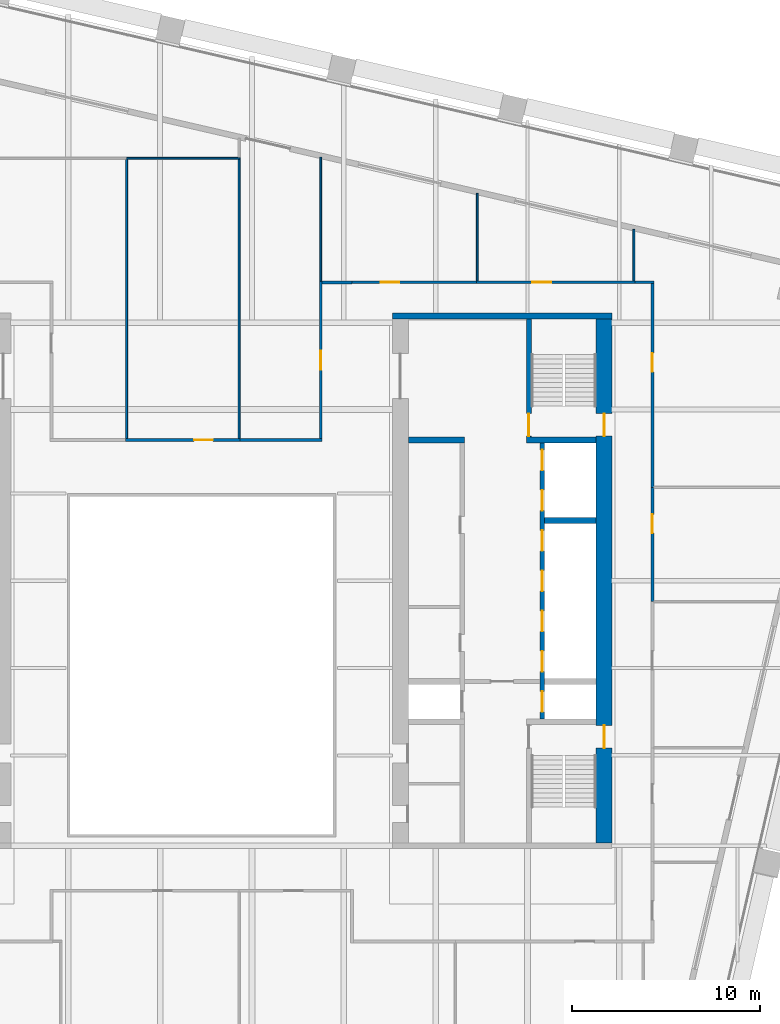
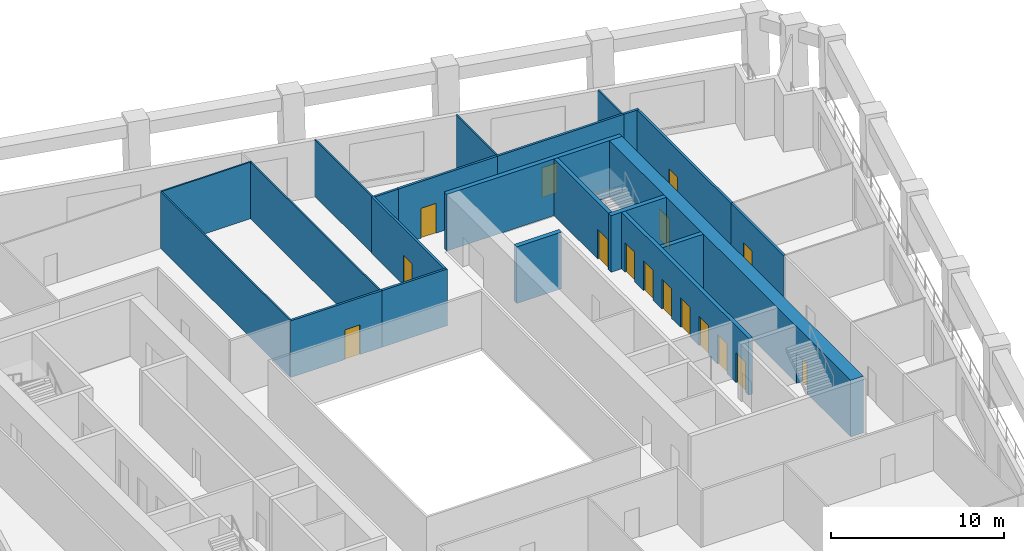
# One storey, part 7 of 9: 22 walls, 16 doors, 16 openings.
"""IFC4 building model written with IfcOpenShell, lengths in metres."""

from ifc_helpers import new_model, si_unit, direction, frame, frame_2d, origin, place, context, subcontext, project, spatial, rectangle, extrude, material, layer, layer_set, type_object, element, fill, save


model = new_model("IFC4")

# Units and contexts
model_context = context("Model", 3, precision=1e-05, world=origin(), true_north=direction((0.0, 1.0)))
body_context = subcontext(model_context, "Body", "Model", "MODEL_VIEW")
ifc_project = project(units=[si_unit("LENGTHUNIT", "METRE"), si_unit("AREAUNIT", "SQUARE_METRE"), si_unit("VOLUMEUNIT", "CUBIC_METRE"), si_unit("PLANEANGLEUNIT", "RADIAN"), si_unit("MASSUNIT", "GRAM", prefix="KILO")], contexts=[model_context])

# Site, building, storey
site_placement = place(None, origin())
site = spatial("IfcSite", under=ifc_project, at=site_placement, CompositionType="ELEMENT")
building_placement = place(site_placement, origin())
building = spatial("IfcBuilding", under=site, at=building_placement, Name="Ogive Exchange Tower", CompositionType="ELEMENT")
storey_placement = place(building_placement, frame((0.0, 0.0, 122.39990234375)))
storey = spatial("IfcBuildingStorey", under=building, at=storey_placement, Name="L26", CompositionType="ELEMENT", Elevation=122.39990234375)

# Wall
ifc_material_1 = material(Name="Gypsum board partition")
ifc_layer_1 = layer(ifc_material_1, 0.300048828125)
ifc_layer_set_1 = layer_set([ifc_layer_1], Name="Core room partition 300 gypsum")
wall_type_1 = type_object("IfcWallType", Name="Core room partition 300 gypsum", PredefinedType="PARTITIONING", material=ifc_layer_set_1)
wall_1_placement = place(storey_placement, frame((11.0, 19.0, 0.0), z_axis=(0.0, 0.0, 1.0), x_axis=(1.0, 0.0, 0.0)))
element("IfcWall", 1, at=wall_1_placement, inside=storey, type_object=wall_type_1, Name="E row B room end wall 7", PredefinedType="PARTITIONING", context=body_context, shape_type="SweptSolid", body=[
    extrude(rectangle(XDim=3.0, YDim=0.300048828125, at=frame_2d((1.5, 0.0))), origin(), (0.0, 0.0, 1.0), 4.0),
])

# Wall, opening, door
ifc_material_2 = material(Name="Fire partition EI 60 150")
ifc_layer_2 = layer(ifc_material_2, 0.14990234375)
ifc_layer_set_2 = layer_set([ifc_layer_2], Name="Fire partition EI 60 150")
wall_type_2 = type_object("IfcWallType", Name="Fire partition EI 60 150", PredefinedType="PARTITIONING", material=ifc_layer_set_2)
wall_2_placement = place(storey_placement, frame((-4.050048828125, 19.0, 0.0), z_axis=(0.0, 0.0, 1.0), x_axis=(1.0, 0.0, 0.0)))
wall_2 = element("IfcWall", 2, at=wall_2_placement, inside=storey, type_object=wall_type_2, Name="L26-PWL-028", PredefinedType="PARTITIONING", context=body_context, shape_type="SweptSolid", body=[
    extrude(rectangle(XDim=6.090087890625, YDim=0.14990234375, at=frame_2d((3.044921875, 0.0))), origin(), (0.0, 0.0, 1.0), 4.0),
])
opening_1_placement = place(wall_2_placement, frame((3.639892578125, 0.0, 0.0)))
opening_1 = element("IfcOpeningElement", 3, at=opening_1_placement, cuts=wall_2, Name="Opening L26-I11", PredefinedType="OPENING", context=body_context, shape_type="SweptSolid", body=[
    extrude(rectangle(XDim=1.0, YDim=2.10009765625, at=frame_2d((0.5, 1.050048828125))), frame((0.0, 0.0849609375, 0.0), z_axis=(0.0, -1.0, 0.0), x_axis=(1.0, 0.0, 0.0)), (0.0, 0.0, 1.0), 0.169921875),
])
ifc_material_3 = material(Name="Fire door FD 30S 1000 x 2100")
door_type_1 = type_object("IfcDoorType", Name="Fire door FD 30S 1000 x 2100", OperationType="NOTDEFINED", PredefinedType="DOOR", material=ifc_material_3)
door_1_placement = place(opening_1_placement, origin())
door_1 = element("IfcDoor", 4, at=door_1_placement, inside=storey, type_object=door_type_1, Name="L26-IDR-011", ObjectType="DT3", OperationType="SINGLE_SWING_LEFT", OverallHeight=2.10009765625, OverallWidth=1.0, PredefinedType="DOOR", context=body_context, shape_type="SweptSolid", body=[
    extrude(rectangle(XDim=1.0, YDim=2.10009765625, at=frame_2d((0.5, 1.050048828125))), frame((0.0, 0.02490234375, 0.0), z_axis=(0.0, -1.0, 0.0), x_axis=(1.0, 0.0, 0.0)), (0.0, 0.0, 1.0), 0.050048828125),
])
fill(opening_1, door_1)

# Wall
wall_3_placement = place(storey_placement, frame((2.0400390625, 19.0, 0.0), z_axis=(0.0, 0.0, 1.0), x_axis=(1.0, 0.0, 0.0)))
element("IfcWall", 5, at=wall_3_placement, inside=storey, type_object=wall_type_2, Name="L26-PWL-034", PredefinedType="PARTITIONING", context=body_context, shape_type="SweptSolid", body=[
    extrude(rectangle(XDim=4.375, YDim=0.14990234375, at=frame_2d((2.1875, 0.0))), origin(), (0.0, 0.0, 1.0), 4.0),
])

# Wall, opening, door
wall_4_placement = place(storey_placement, frame((6.340087890625, 19.074951171875, 0.0), z_axis=(0.0, 0.0, 1.0), x_axis=(0.0, 1.0, 0.0)))
wall_4 = element("IfcWall", 6, at=wall_4_placement, inside=storey, type_object=wall_type_2, Name="L26-PWL-038", PredefinedType="PARTITIONING", context=body_context, shape_type="SweptSolid", body=[
    extrude(rectangle(XDim=8.39013671875, YDim=0.14990234375, at=frame_2d((4.195068359375, 0.0))), origin(), (0.0, 0.0, 1.0), 4.0),
])
opening_2_placement = place(wall_4_placement, frame((3.6650390625, 0.0, 0.0)))
opening_2 = element("IfcOpeningElement", 7, at=opening_2_placement, cuts=wall_4, Name="Opening L26-I12", PredefinedType="OPENING", context=body_context, shape_type="SweptSolid", body=[
    extrude(rectangle(XDim=1.0, YDim=2.10009765625, at=frame_2d((0.5, 1.050048828125))), frame((0.0, 0.0849609375, 0.0), z_axis=(0.0, -1.0, 0.0), x_axis=(1.0, 0.0, 0.0)), (0.0, 0.0, 1.0), 0.169921875),
])
door_2_placement = place(opening_2_placement, origin())
door_2 = element("IfcDoor", 8, at=door_2_placement, inside=storey, type_object=door_type_1, Name="L26-IDR-012", ObjectType="DT3", OperationType="SINGLE_SWING_RIGHT", OverallHeight=2.10009765625, OverallWidth=1.0, PredefinedType="DOOR", context=body_context, shape_type="SweptSolid", body=[
    extrude(rectangle(XDim=1.0, YDim=2.10009765625, at=frame_2d((0.5, 1.050048828125))), frame((0.0, 0.02490234375, 0.0), z_axis=(0.0, -1.0, 0.0), x_axis=(1.0, 0.0, 0.0)), (0.0, 0.0, 1.0), 0.050048828125),
])
fill(opening_2, door_2)

# Wall
wall_5_placement = place(storey_placement, frame((6.4150390625, 27.389892578125, 0.0), z_axis=(0.0, 0.0, 1.0), x_axis=(1.0, 0.0, 0.0)))
element("IfcWall", 9, at=wall_5_placement, inside=storey, type_object=wall_type_2, Name="L26-PWL-039", PredefinedType="PARTITIONING", context=body_context, shape_type="SweptSolid", body=[
    extrude(rectangle(XDim=1.5849609375, YDim=0.14990234375, at=frame_2d((0.79248046875, 0.0))), origin(), (0.0, 0.0, 1.0), 4.0),
])

# Wall, opening, door
wall_6_placement = place(storey_placement, frame((8.0, 27.39990234375, 0.0), z_axis=(0.0, 0.0, 1.0), x_axis=(1.0, 0.0, 0.0)))
wall_6 = element("IfcWall", 10, at=wall_6_placement, inside=storey, type_object=wall_type_2, Name="L26-PWL-043", PredefinedType="PARTITIONING", context=body_context, shape_type="SweptSolid", body=[
    extrude(rectangle(XDim=6.6201171875, YDim=0.14990234375, at=frame_2d((3.31005859375, 0.0))), origin(), (0.0, 0.0, 1.0), 4.0),
])
opening_3_placement = place(wall_6_placement, frame((1.52001953125, 0.0, 0.0)))
opening_3 = element("IfcOpeningElement", 11, at=opening_3_placement, cuts=wall_6, Name="Opening L26-I15", PredefinedType="OPENING", context=body_context, shape_type="SweptSolid", body=[
    extrude(rectangle(XDim=1.0, YDim=2.10009765625, at=frame_2d((0.5, 1.050048828125))), frame((0.0, 0.0849609375, 0.0), z_axis=(0.0, -1.0, 0.0), x_axis=(1.0, 0.0, 0.0)), (0.0, 0.0, 1.0), 0.169921875),
])
door_3_placement = place(opening_3_placement, origin())
door_3 = element("IfcDoor", 12, at=door_3_placement, inside=storey, type_object=door_type_1, Name="L26-IDR-015", ObjectType="DT3", OperationType="SINGLE_SWING_RIGHT", OverallHeight=2.10009765625, OverallWidth=1.0, PredefinedType="DOOR", context=body_context, shape_type="SweptSolid", body=[
    extrude(rectangle(XDim=1.0, YDim=2.10009765625, at=frame_2d((0.5, 1.050048828125))), frame((0.0, 0.02490234375, 0.0), z_axis=(0.0, -1.0, 0.0), x_axis=(1.0, 0.0, 0.0)), (0.0, 0.0, 1.0), 0.050048828125),
])
fill(opening_3, door_3)

wall_7_placement = place(storey_placement, frame((14.6201171875, 27.39990234375, 0.0), z_axis=(0.0, 0.0, 1.0), x_axis=(1.0, 0.0, 0.0)))
wall_7 = element("IfcWall", 13, at=wall_7_placement, inside=storey, type_object=wall_type_2, Name="L26-PWL-049", PredefinedType="PARTITIONING", context=body_context, shape_type="SweptSolid", body=[
    extrude(rectangle(XDim=8.43994140625, YDim=0.14990234375, at=frame_2d((4.219970703125, 0.0))), origin(), (0.0, 0.0, 1.0), 4.0),
])
opening_4_placement = place(wall_7_placement, frame((2.989990234375, 0.0, 0.0)))
opening_4 = element("IfcOpeningElement", 14, at=opening_4_placement, cuts=wall_7, Name="Opening L26-I16", PredefinedType="OPENING", context=body_context, shape_type="SweptSolid", body=[
    extrude(rectangle(XDim=1.0, YDim=2.10009765625, at=frame_2d((0.5, 1.050048828125))), frame((0.0, 0.0849609375, 0.0), z_axis=(0.0, -1.0, 0.0), x_axis=(1.0, 0.0, 0.0)), (0.0, 0.0, 1.0), 0.169921875),
])
door_4_placement = place(opening_4_placement, origin())
door_4 = element("IfcDoor", 15, at=door_4_placement, inside=storey, type_object=door_type_1, Name="L26-IDR-016", ObjectType="DT3", OperationType="SINGLE_SWING_RIGHT", OverallHeight=2.10009765625, OverallWidth=1.0, PredefinedType="DOOR", context=body_context, shape_type="SweptSolid", body=[
    extrude(rectangle(XDim=1.0, YDim=2.10009765625, at=frame_2d((0.5, 1.050048828125))), frame((0.0, 0.02490234375, 0.0), z_axis=(0.0, -1.0, 0.0), x_axis=(1.0, 0.0, 0.0)), (0.0, 0.0, 1.0), 0.050048828125),
])
fill(opening_4, door_4)

# Wall
wall_8_placement = place(storey_placement, frame((23.06005859375, 27.39990234375, 0.0), z_axis=(0.0, 0.0, 1.0), x_axis=(1.0, 0.0, 0.0)))
element("IfcWall", 16, at=wall_8_placement, inside=storey, type_object=wall_type_2, Name="L26-PWL-051", PredefinedType="PARTITIONING", context=body_context, shape_type="SweptSolid", body=[
    extrude(rectangle(XDim=1.014892578125, YDim=0.14990234375, at=frame_2d((0.50732421875, 0.0))), origin(), (0.0, 0.0, 1.0), 4.0),
])

# Wall, opening, door
wall_9_placement = place(storey_placement, frame((24.0, 16.47998046875, 0.0), z_axis=(0.0, 0.0, 1.0), x_axis=(0.0, -1.0, 0.0)))
wall_9 = element("IfcWall", 17, at=wall_9_placement, inside=storey, type_object=wall_type_2, Name="L26-PWL-063", PredefinedType="PARTITIONING", context=body_context, shape_type="SweptSolid", body=[
    extrude(rectangle(XDim=6.090087890625, YDim=0.14990234375, at=frame_2d((3.044921875, 0.0))), origin(), (0.0, 0.0, 1.0), 4.0),
])
opening_5_placement = place(wall_9_placement, frame((1.43994140625, 0.0, 0.0)))
opening_5 = element("IfcOpeningElement", 18, at=opening_5_placement, cuts=wall_9, Name="Opening L26-I14", PredefinedType="OPENING", context=body_context, shape_type="SweptSolid", body=[
    extrude(rectangle(XDim=1.0, YDim=2.10009765625, at=frame_2d((0.5, 1.050048828125))), frame((0.0, 0.0849609375, 0.0), z_axis=(0.0, -1.0, 0.0), x_axis=(1.0, 0.0, 0.0)), (0.0, 0.0, 1.0), 0.169921875),
])
door_5_placement = place(opening_5_placement, origin())
door_5 = element("IfcDoor", 19, at=door_5_placement, inside=storey, type_object=door_type_1, Name="L26-IDR-014", ObjectType="DT3", OperationType="SINGLE_SWING_RIGHT", OverallHeight=2.10009765625, OverallWidth=1.0, PredefinedType="DOOR", context=body_context, shape_type="SweptSolid", body=[
    extrude(rectangle(XDim=1.0, YDim=2.10009765625, at=frame_2d((0.5, 1.050048828125))), frame((0.0, 0.02490234375, 0.0), z_axis=(0.0, -1.0, 0.0), x_axis=(1.0, 0.0, 0.0)), (0.0, 0.0, 1.0), 0.050048828125),
])
fill(opening_5, door_5)

wall_10_placement = place(storey_placement, frame((24.0, 27.324951171875, 0.0), z_axis=(0.0, 0.0, 1.0), x_axis=(0.0, -1.0, 0.0)))
wall_10 = element("IfcWall", 20, at=wall_10_placement, inside=storey, type_object=wall_type_2, Name="L26-PWL-065", PredefinedType="PARTITIONING", context=body_context, shape_type="SweptSolid", body=[
    extrude(rectangle(XDim=10.844970703125, YDim=0.14990234375, at=frame_2d((5.42236328125, 0.0))), origin(), (0.0, 0.0, 1.0), 4.0),
])
opening_6_placement = place(wall_10_placement, frame((3.695068359375, 0.0, 0.0)))
opening_6 = element("IfcOpeningElement", 21, at=opening_6_placement, cuts=wall_10, Name="Opening L26-I17", PredefinedType="OPENING", context=body_context, shape_type="SweptSolid", body=[
    extrude(rectangle(XDim=1.0, YDim=2.10009765625, at=frame_2d((0.5, 1.050048828125))), frame((0.0, 0.0849609375, 0.0), z_axis=(0.0, -1.0, 0.0), x_axis=(1.0, 0.0, 0.0)), (0.0, 0.0, 1.0), 0.169921875),
])
door_6_placement = place(opening_6_placement, origin())
door_6 = element("IfcDoor", 22, at=door_6_placement, inside=storey, type_object=door_type_1, Name="L26-IDR-017", ObjectType="DT3", OperationType="SINGLE_SWING_RIGHT", OverallHeight=2.10009765625, OverallWidth=1.0, PredefinedType="DOOR", context=body_context, shape_type="SweptSolid", body=[
    extrude(rectangle(XDim=1.0, YDim=2.10009765625, at=frame_2d((0.5, 1.050048828125))), frame((0.0, 0.02490234375, 0.0), z_axis=(0.0, -1.0, 0.0), x_axis=(1.0, 0.0, 0.0)), (0.0, 0.0, 1.0), 0.050048828125),
])
fill(opening_6, door_6)

# Walls
ifc_material_4 = material(Name="Partition 100 gypsum")
ifc_layer_3 = layer(ifc_material_4, 0.10009765625)
ifc_layer_set_3 = layer_set([ifc_layer_3], Name="Partition 100 gypsum")
wall_type_3 = type_object("IfcWallType", Name="Partition 100 gypsum", PredefinedType="PARTITIONING", material=ifc_layer_set_3)
wall_11_placement = place(storey_placement, frame((-4.0, 33.949951171875, 0.0), z_axis=(0.0, 0.0, 1.0), x_axis=(0.0, -1.0, 0.0)))
element("IfcWall", 23, at=wall_11_placement, inside=storey, type_object=wall_type_3, Name="L26-PWL-030", PredefinedType="PARTITIONING", context=body_context, shape_type="SweptSolid", body=[
    extrude(rectangle(XDim=14.875, YDim=0.10009765625, at=frame_2d((7.4375, 0.0))), origin(), (0.0, 0.0, 1.0), 4.0),
])
wall_12_placement = place(storey_placement, frame((2.0400390625, 34.0, 0.0), z_axis=(0.0, 0.0, 1.0), x_axis=(-1.0, 0.0, 0.0)))
element("IfcWall", 24, at=wall_12_placement, inside=storey, type_object=wall_type_3, Name="L26-PWL-035", PredefinedType="PARTITIONING", context=body_context, shape_type="SweptSolid", body=[
    extrude(rectangle(XDim=6.0400390625, YDim=0.10009765625, at=frame_2d((3.02001953125, 0.0))), origin(), (0.0, 0.0, 1.0), 4.0),
])
wall_13_placement = place(storey_placement, frame((1.989990234375, 33.949951171875, 0.0), z_axis=(0.0, 0.0, 1.0), x_axis=(0.0, -1.0, 0.0)))
element("IfcWall", 25, at=wall_13_placement, inside=storey, type_object=wall_type_3, Name="L26-PWL-036", PredefinedType="PARTITIONING", context=body_context, shape_type="SweptSolid", body=[
    extrude(rectangle(XDim=14.875, YDim=0.10009765625, at=frame_2d((7.4375, 0.0))), origin(), (0.0, 0.0, 1.0), 4.0),
])
wall_14_placement = place(storey_placement, frame((6.340087890625, 34.06103515625, 0.0), z_axis=(0.0, 0.0, 1.0), x_axis=(0.0, -1.0, 0.0)))
element("IfcWall", 26, at=wall_14_placement, inside=storey, type_object=wall_type_3, Name="L26-PWL-040", PredefinedType="PARTITIONING", context=body_context, shape_type="SweptSolid", body=[
    extrude(rectangle(XDim=6.595947265625, YDim=0.10009765625, at=frame_2d((3.2978515625, 0.0))), origin(), (0.0, 0.0, 1.0), 4.0),
])
wall_15_placement = place(storey_placement, frame((14.669921875, 32.137939453125, 0.0), z_axis=(0.0, 0.0, 1.0), x_axis=(0.0, -1.0, 0.0)))
element("IfcWall", 27, at=wall_15_placement, inside=storey, type_object=wall_type_3, Name="L26-PWL-050", PredefinedType="PARTITIONING", context=body_context, shape_type="SweptSolid", body=[
    extrude(rectangle(XDim=4.662841796875, YDim=0.10009765625, at=frame_2d((2.33154296875, 0.0))), origin(), (0.0, 0.0, 1.0), 4.0),
])
wall_16_placement = place(storey_placement, frame((23.010009765625, 30.2119140625, 0.0), z_axis=(0.0, 0.0, 1.0), x_axis=(0.0, -1.0, 0.0)))
element("IfcWall", 28, at=wall_16_placement, inside=storey, type_object=wall_type_3, Name="L26-PWL-052", PredefinedType="PARTITIONING", context=body_context, shape_type="SweptSolid", body=[
    extrude(rectangle(XDim=2.73681640625, YDim=0.10009765625, at=frame_2d((1.368408203125, 0.0))), origin(), (0.0, 0.0, 1.0), 4.0),
])

# Wall, opening, door
ifc_material_5 = material(Name="Concrete C70/85", Category="concrete")
ifc_layer_4 = layer(ifc_material_5, 0.25)
ifc_layer_set_4 = layer_set([ifc_layer_4], Name="RC core wall 250 C70/85")
wall_type_4 = type_object("IfcWallType", Name="RC core wall 250 C70/85", PredefinedType="SHEAR", material=ifc_layer_set_4)
wall_17_placement = place(storey_placement, frame((17.425048828125, 19.14990234375, 0.0), z_axis=(0.0, 0.0, 1.0), x_axis=(0.0, 1.0, 0.0)))
wall_17 = element("IfcWall", 29, at=wall_17_placement, inside=storey, type_object=wall_type_4, Name="E stair N front wall", PredefinedType="SHEAR", context=body_context, shape_type="SweptSolid", body=[
    extrude(rectangle(XDim=6.300048828125, YDim=0.25, at=frame_2d((3.14990234375, 0.0))), origin(), (0.0, 0.0, 1.0), 4.0),
])
opening_7_placement = place(wall_17_placement, frame((0.050048828125, 0.0, 0.0)))
opening_7 = element("IfcOpeningElement", 30, at=opening_7_placement, cuts=wall_17, Name="Opening L26-C32", PredefinedType="OPENING", context=body_context, shape_type="SweptSolid", body=[
    extrude(rectangle(XDim=1.199951171875, YDim=2.10009765625, at=frame_2d((0.60009765625, 1.050048828125))), frame((0.0, 0.135009765625, 0.0), z_axis=(0.0, -1.0, 0.0), x_axis=(1.0, 0.0, 0.0)), (0.0, 0.0, 1.0), 0.27001953125),
])
ifc_material_6 = material(Name="Steel fire door", Category="steel")
door_type_2 = type_object("IfcDoorType", Name="Stair door FD90 1200 x 2100", OperationType="NOTDEFINED", PredefinedType="DOOR", material=ifc_material_6)
door_7_placement = place(opening_7_placement, frame((1.199951171875, 0.0, 0.0), z_axis=(0.0, 0.0, 1.0), x_axis=(-1.0, 0.0, 0.0)))
door_7 = element("IfcDoor", 31, at=door_7_placement, inside=storey, type_object=door_type_2, Name="Stair door", ObjectType="CD5", OperationType="SINGLE_SWING_LEFT", OverallHeight=2.10009765625, OverallWidth=1.199951171875, PredefinedType="DOOR", context=body_context, shape_type="SweptSolid", body=[
    extrude(rectangle(XDim=1.199951171875, YDim=2.10009765625, at=frame_2d((0.60009765625, 1.050048828125))), frame((0.0, 0.02490234375, 0.0), z_axis=(0.0, -1.0, 0.0), x_axis=(1.0, 0.0, 0.0)), (0.0, 0.0, 1.0), 0.050048828125),
])
fill(opening_7, door_7)

# Wall, openings, doors
wall_18_placement = place(storey_placement, frame((18.125, 4.14990234375, 0.0), z_axis=(0.0, 0.0, 1.0), x_axis=(0.0, 1.0, 0.0)))
wall_18 = element("IfcWall", 32, at=wall_18_placement, inside=storey, type_object=wall_type_4, Name="E row A front wall", PredefinedType="SHEAR", context=body_context, shape_type="SweptSolid", body=[
    extrude(rectangle(XDim=14.7001953125, YDim=0.25, at=frame_2d((7.35009765625, 0.0))), origin(), (0.0, 0.0, 1.0), 4.0),
])
opening_8_placement = place(wall_18_placement, frame((0.371337890625, 0.0, 0.0)))
opening_8 = element("IfcOpeningElement", 33, at=opening_8_placement, cuts=wall_18, Name="Opening L26-C18", PredefinedType="OPENING", context=body_context, shape_type="SweptSolid", body=[
    extrude(rectangle(XDim=1.10009765625, YDim=2.10009765625, at=frame_2d((0.550048828125, 1.050048828125))), frame((0.0, 0.135009765625, 0.0), z_axis=(0.0, -1.0, 0.0), x_axis=(1.0, 0.0, 0.0)), (0.0, 0.0, 1.0), 0.27001953125),
])
opening_9_placement = place(wall_18_placement, frame((2.514404296875, 0.0, 0.0)))
opening_9 = element("IfcOpeningElement", 34, at=opening_9_placement, cuts=wall_18, Name="Opening L26-C19", PredefinedType="OPENING", context=body_context, shape_type="SweptSolid", body=[
    extrude(rectangle(XDim=1.10009765625, YDim=2.10009765625, at=frame_2d((0.550048828125, 1.050048828125))), frame((0.0, 0.135009765625, 0.0), z_axis=(0.0, -1.0, 0.0), x_axis=(1.0, 0.0, 0.0)), (0.0, 0.0, 1.0), 0.27001953125),
])
opening_10_placement = place(wall_18_placement, frame((4.656982421875, 0.0, 0.0)))
opening_10 = element("IfcOpeningElement", 35, at=opening_10_placement, cuts=wall_18, Name="Opening L26-C20", PredefinedType="OPENING", context=body_context, shape_type="SweptSolid", body=[
    extrude(rectangle(XDim=1.10009765625, YDim=2.10009765625, at=frame_2d((0.550048828125, 1.050048828125))), frame((0.0, 0.135009765625, 0.0), z_axis=(0.0, -1.0, 0.0), x_axis=(1.0, 0.0, 0.0)), (0.0, 0.0, 1.0), 0.27001953125),
])
opening_11_placement = place(wall_18_placement, frame((6.800048828125, 0.0, 0.0)))
opening_11 = element("IfcOpeningElement", 36, at=opening_11_placement, cuts=wall_18, Name="Opening L26-C21", PredefinedType="OPENING", context=body_context, shape_type="SweptSolid", body=[
    extrude(rectangle(XDim=1.10009765625, YDim=2.10009765625, at=frame_2d((0.550048828125, 1.050048828125))), frame((0.0, 0.135009765625, 0.0), z_axis=(0.0, -1.0, 0.0), x_axis=(1.0, 0.0, 0.0)), (0.0, 0.0, 1.0), 0.27001953125),
])
opening_12_placement = place(wall_18_placement, frame((8.94287109375, 0.0, 0.0)))
opening_12 = element("IfcOpeningElement", 37, at=opening_12_placement, cuts=wall_18, Name="Opening L26-C22", PredefinedType="OPENING", context=body_context, shape_type="SweptSolid", body=[
    extrude(rectangle(XDim=1.10009765625, YDim=2.10009765625, at=frame_2d((0.550048828125, 1.050048828125))), frame((0.0, 0.135009765625, 0.0), z_axis=(0.0, -1.0, 0.0), x_axis=(1.0, 0.0, 0.0)), (0.0, 0.0, 1.0), 0.27001953125),
])
opening_13_placement = place(wall_18_placement, frame((11.085693359375, 0.0, 0.0)))
opening_13 = element("IfcOpeningElement", 38, at=opening_13_placement, cuts=wall_18, Name="Opening L26-C23", PredefinedType="OPENING", context=body_context, shape_type="SweptSolid", body=[
    extrude(rectangle(XDim=1.10009765625, YDim=2.10009765625, at=frame_2d((0.550048828125, 1.050048828125))), frame((0.0, 0.135009765625, 0.0), z_axis=(0.0, -1.0, 0.0), x_axis=(1.0, 0.0, 0.0)), (0.0, 0.0, 1.0), 0.27001953125),
])
opening_14_placement = place(wall_18_placement, frame((13.228515625, 0.0, 0.0)))
opening_14 = element("IfcOpeningElement", 39, at=opening_14_placement, cuts=wall_18, Name="Opening L26-C24", PredefinedType="OPENING", context=body_context, shape_type="SweptSolid", body=[
    extrude(rectangle(XDim=1.10009765625, YDim=2.10009765625, at=frame_2d((0.550048828125, 1.050048828125))), frame((0.0, 0.135009765625, 0.0), z_axis=(0.0, -1.0, 0.0), x_axis=(1.0, 0.0, 0.0)), (0.0, 0.0, 1.0), 0.27001953125),
])
ifc_material_7 = material(Name="Stainless steel", Category="steel")
door_type_3 = type_object("IfcDoorType", Name="Lift landing door FD90 1100 x 2100", OperationType="SLIDING_TO_LEFT", PredefinedType="DOOR", material=ifc_material_7)
door_8_placement = place(opening_8_placement, origin())
door_8 = element("IfcDoor", 40, at=door_8_placement, inside=storey, type_object=door_type_3, Name="Lift landing door FF2", ObjectType="LD", OperationType="SLIDING_TO_LEFT", OverallHeight=2.10009765625, OverallWidth=1.10009765625, PredefinedType="DOOR", context=body_context, shape_type="SweptSolid", body=[
    extrude(rectangle(XDim=1.10009765625, YDim=2.10009765625, at=frame_2d((0.550048828125, 1.050048828125))), frame((0.0, 0.02490234375, 0.0), z_axis=(0.0, -1.0, 0.0), x_axis=(1.0, 0.0, 0.0)), (0.0, 0.0, 1.0), 0.050048828125),
])
fill(opening_8, door_8)
door_9_placement = place(opening_9_placement, origin())
door_9 = element("IfcDoor", 41, at=door_9_placement, inside=storey, type_object=door_type_3, Name="Lift landing door E-L1", ObjectType="LD", OperationType="SLIDING_TO_LEFT", OverallHeight=2.10009765625, OverallWidth=1.10009765625, PredefinedType="DOOR", context=body_context, shape_type="SweptSolid", body=[
    extrude(rectangle(XDim=1.10009765625, YDim=2.10009765625, at=frame_2d((0.550048828125, 1.050048828125))), frame((0.0, 0.02490234375, 0.0), z_axis=(0.0, -1.0, 0.0), x_axis=(1.0, 0.0, 0.0)), (0.0, 0.0, 1.0), 0.050048828125),
])
fill(opening_9, door_9)
door_10_placement = place(opening_10_placement, origin())
door_10 = element("IfcDoor", 42, at=door_10_placement, inside=storey, type_object=door_type_3, Name="Lift landing door E-L2", ObjectType="LD", OperationType="SLIDING_TO_LEFT", OverallHeight=2.10009765625, OverallWidth=1.10009765625, PredefinedType="DOOR", context=body_context, shape_type="SweptSolid", body=[
    extrude(rectangle(XDim=1.10009765625, YDim=2.10009765625, at=frame_2d((0.550048828125, 1.050048828125))), frame((0.0, 0.02490234375, 0.0), z_axis=(0.0, -1.0, 0.0), x_axis=(1.0, 0.0, 0.0)), (0.0, 0.0, 1.0), 0.050048828125),
])
fill(opening_10, door_10)
door_11_placement = place(opening_11_placement, origin())
door_11 = element("IfcDoor", 43, at=door_11_placement, inside=storey, type_object=door_type_3, Name="Lift landing door E-L3", ObjectType="LD", OperationType="SLIDING_TO_LEFT", OverallHeight=2.10009765625, OverallWidth=1.10009765625, PredefinedType="DOOR", context=body_context, shape_type="SweptSolid", body=[
    extrude(rectangle(XDim=1.10009765625, YDim=2.10009765625, at=frame_2d((0.550048828125, 1.050048828125))), frame((0.0, 0.02490234375, 0.0), z_axis=(0.0, -1.0, 0.0), x_axis=(1.0, 0.0, 0.0)), (0.0, 0.0, 1.0), 0.050048828125),
])
fill(opening_11, door_11)
door_12_placement = place(opening_12_placement, origin())
door_12 = element("IfcDoor", 44, at=door_12_placement, inside=storey, type_object=door_type_3, Name="Lift landing door E-L4", ObjectType="LD", OperationType="SLIDING_TO_LEFT", OverallHeight=2.10009765625, OverallWidth=1.10009765625, PredefinedType="DOOR", context=body_context, shape_type="SweptSolid", body=[
    extrude(rectangle(XDim=1.10009765625, YDim=2.10009765625, at=frame_2d((0.550048828125, 1.050048828125))), frame((0.0, 0.02490234375, 0.0), z_axis=(0.0, -1.0, 0.0), x_axis=(1.0, 0.0, 0.0)), (0.0, 0.0, 1.0), 0.050048828125),
])
fill(opening_12, door_12)
door_13_placement = place(opening_13_placement, origin())
door_13 = element("IfcDoor", 45, at=door_13_placement, inside=storey, type_object=door_type_3, Name="Lift landing door E-SH1", ObjectType="LD", OperationType="SLIDING_TO_LEFT", OverallHeight=2.10009765625, OverallWidth=1.10009765625, PredefinedType="DOOR", context=body_context, shape_type="SweptSolid", body=[
    extrude(rectangle(XDim=1.10009765625, YDim=2.10009765625, at=frame_2d((0.550048828125, 1.050048828125))), frame((0.0, 0.02490234375, 0.0), z_axis=(0.0, -1.0, 0.0), x_axis=(1.0, 0.0, 0.0)), (0.0, 0.0, 1.0), 0.050048828125),
])
fill(opening_13, door_13)
door_14_placement = place(opening_14_placement, origin())
door_14 = element("IfcDoor", 46, at=door_14_placement, inside=storey, type_object=door_type_3, Name="Lift landing door E-SH2", ObjectType="LD", OperationType="SLIDING_TO_LEFT", OverallHeight=2.10009765625, OverallWidth=1.10009765625, PredefinedType="DOOR", context=body_context, shape_type="SweptSolid", body=[
    extrude(rectangle(XDim=1.10009765625, YDim=2.10009765625, at=frame_2d((0.550048828125, 1.050048828125))), frame((0.0, 0.02490234375, 0.0), z_axis=(0.0, -1.0, 0.0), x_axis=(1.0, 0.0, 0.0)), (0.0, 0.0, 1.0), 0.050048828125),
])
fill(opening_14, door_14)

# Walls
ifc_layer_5 = layer(ifc_material_5, 0.300048828125)
ifc_layer_set_5 = layer_set([ifc_layer_5], Name="RC core wall 300 C70/85")
wall_type_5 = type_object("IfcWallType", Name="RC core wall 300 C70/85", PredefinedType="SHEAR", material=ifc_layer_set_5)
wall_19_placement = place(storey_placement, frame((10.14990234375, 25.60009765625, 0.0), z_axis=(0.0, 0.0, 1.0), x_axis=(1.0, 0.0, 0.0)))
element("IfcWall", 47, at=wall_19_placement, inside=storey, type_object=wall_type_5, Name="E north end wall", PredefinedType="SHEAR", context=body_context, shape_type="SweptSolid", body=[
    extrude(rectangle(XDim=11.7001953125, YDim=0.300048828125, at=frame_2d((5.85009765625, 0.0))), origin(), (0.0, 0.0, 1.0), 4.0),
])
wall_20_placement = place(storey_placement, frame((17.300048828125, 19.0, 0.0), z_axis=(0.0, 0.0, 1.0), x_axis=(1.0, 0.0, 0.0)))
element("IfcWall", 48, at=wall_20_placement, inside=storey, type_object=wall_type_5, Name="E stair N south wall", PredefinedType="SHEAR", context=body_context, shape_type="SweptSolid", body=[
    extrude(rectangle(XDim=3.699951171875, YDim=0.300048828125, at=frame_2d((1.85009765625, 0.0))), origin(), (0.0, 0.0, 1.0), 4.0),
])
wall_21_placement = place(storey_placement, frame((18.25, 14.71435546875, 0.0), z_axis=(0.0, 0.0, 1.0), x_axis=(1.0, 0.0, 0.0)))
element("IfcWall", 49, at=wall_21_placement, inside=storey, type_object=wall_type_5, Name="E row A divider 5", PredefinedType="SHEAR", context=body_context, shape_type="SweptSolid", body=[
    extrude(rectangle(XDim=2.75, YDim=0.300048828125, at=frame_2d((1.375, 0.0))), origin(), (0.0, 0.0, 1.0), 4.0),
])

# Wall, openings, doors
ifc_layer_6 = layer(ifc_material_5, 0.85009765625)
ifc_layer_set_6 = layer_set([ifc_layer_6], Name="RC core wall 850 C70/85")
wall_type_6 = type_object("IfcWallType", Name="RC core wall 850 C70/85", PredefinedType="SHEAR", material=ifc_layer_set_6)
wall_22_placement = place(storey_placement, frame((21.425048828125, -2.449951171875, 0.0), z_axis=(0.0, 0.0, 1.0), x_axis=(0.0, 1.0, 0.0)))
wall_22 = element("IfcWall", 50, at=wall_22_placement, inside=storey, type_object=wall_type_6, Name="E outer wall", PredefinedType="SHEAR", context=body_context, shape_type="SweptSolid", body=[
    extrude(rectangle(XDim=27.89990234375, YDim=0.85009765625, at=frame_2d((13.949951171875, 0.0))), origin(), (0.0, 0.0, 1.0), 4.0),
])
opening_15_placement = place(wall_22_placement, frame((5.050048828125, 0.0, 0.0)))
opening_15 = element("IfcOpeningElement", 51, at=opening_15_placement, cuts=wall_22, Name="Opening L26-C31", PredefinedType="OPENING", context=body_context, shape_type="SweptSolid", body=[
    extrude(rectangle(XDim=1.199951171875, YDim=2.10009765625, at=frame_2d((0.60009765625, 1.050048828125))), frame((0.0, 0.43505859375, 0.0), z_axis=(0.0, -1.0, 0.0), x_axis=(1.0, 0.0, 0.0)), (0.0, 0.0, 1.0), 0.8701171875),
])
opening_16_placement = place(wall_22_placement, frame((21.64990234375, 0.0, 0.0)))
opening_16 = element("IfcOpeningElement", 52, at=opening_16_placement, cuts=wall_22, Name="Opening L26-C33", PredefinedType="OPENING", context=body_context, shape_type="SweptSolid", body=[
    extrude(rectangle(XDim=1.199951171875, YDim=2.10009765625, at=frame_2d((0.60009765625, 1.050048828125))), frame((0.0, 0.43505859375, 0.0), z_axis=(0.0, -1.0, 0.0), x_axis=(1.0, 0.0, 0.0)), (0.0, 0.0, 1.0), 0.8701171875),
])
door_15_placement = place(opening_15_placement, origin())
door_15 = element("IfcDoor", 53, at=door_15_placement, inside=storey, type_object=door_type_2, Name="Stair door", ObjectType="CD5", OperationType="SINGLE_SWING_LEFT", OverallHeight=2.10009765625, OverallWidth=1.199951171875, PredefinedType="DOOR", context=body_context, shape_type="SweptSolid", body=[
    extrude(rectangle(XDim=1.199951171875, YDim=2.10009765625, at=frame_2d((0.60009765625, 1.050048828125))), frame((0.0, 0.02490234375, 0.0), z_axis=(0.0, -1.0, 0.0), x_axis=(1.0, 0.0, 0.0)), (0.0, 0.0, 1.0), 0.050048828125),
])
fill(opening_15, door_15)
door_16_placement = place(opening_16_placement, origin())
door_16 = element("IfcDoor", 54, at=door_16_placement, inside=storey, type_object=door_type_2, Name="Stair door", ObjectType="CD5", OperationType="SINGLE_SWING_RIGHT", OverallHeight=2.10009765625, OverallWidth=1.199951171875, PredefinedType="DOOR", context=body_context, shape_type="SweptSolid", body=[
    extrude(rectangle(XDim=1.199951171875, YDim=2.10009765625, at=frame_2d((0.60009765625, 1.050048828125))), frame((0.0, 0.02490234375, 0.0), z_axis=(0.0, -1.0, 0.0), x_axis=(1.0, 0.0, 0.0)), (0.0, 0.0, 1.0), 0.050048828125),
])
fill(opening_16, door_16)

save(model, "model.ifc")
